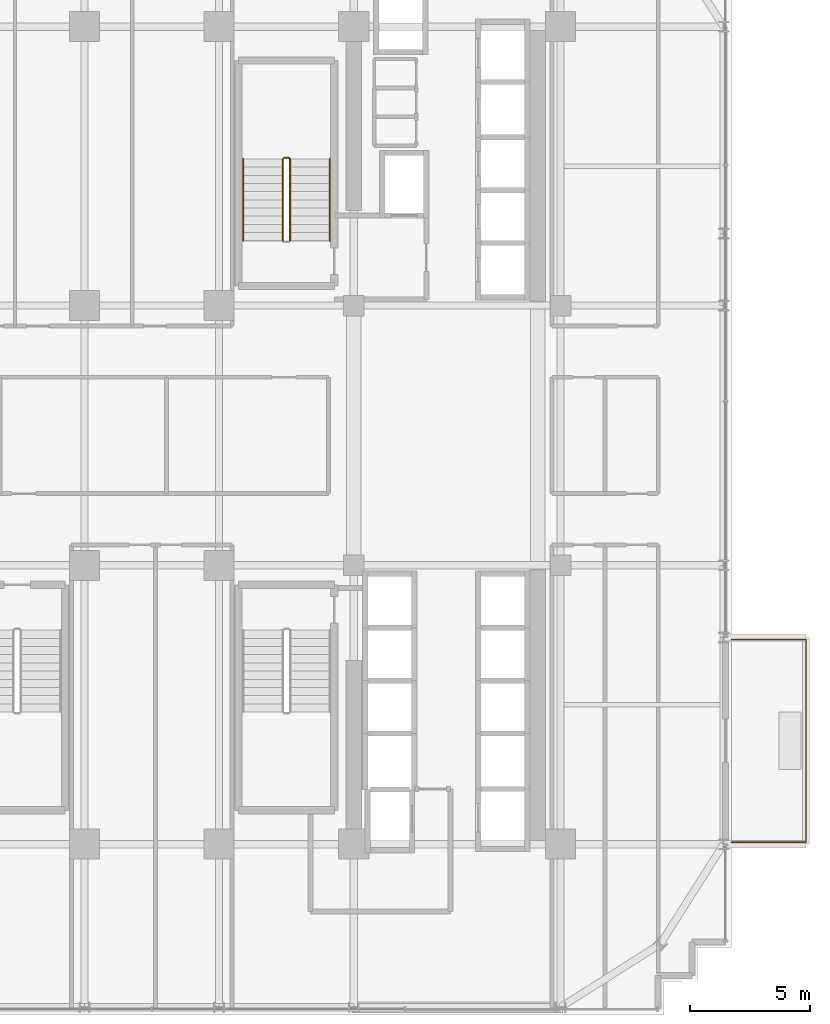
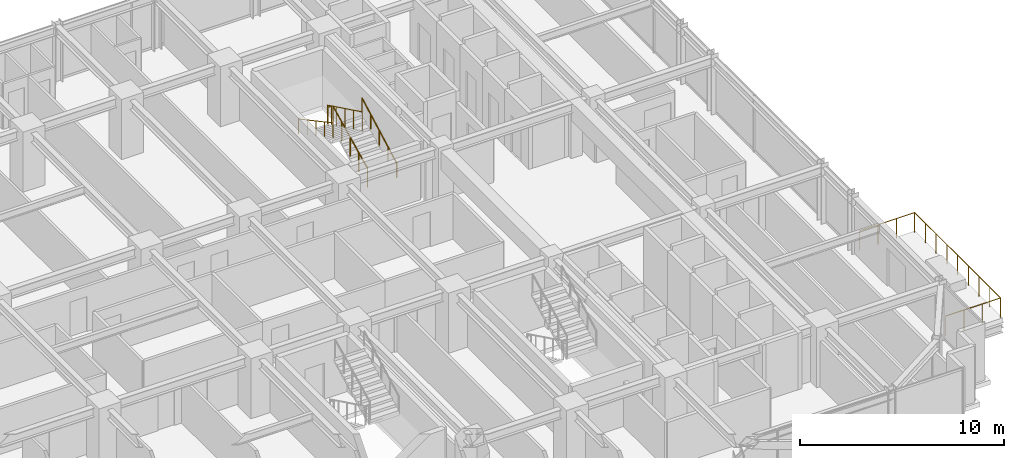
# One storey, part 32 of 34: 6 railings.
"""IFC4 building model written with IfcOpenShell, lengths in metres."""

from ifc_helpers import new_model, si_unit, direction, frame, origin, origin_2d, place, context, subcontext, project, spatial, circle, extrude, material, type_object, element, save


model = new_model("IFC4")

# Units and contexts
model_context = context("Model", 3, precision=1e-05, world=origin(), true_north=direction((0.0, 1.0)))
body_context = subcontext(model_context, "Body", "Model", "MODEL_VIEW")
ifc_project = project(units=[si_unit("LENGTHUNIT", "METRE"), si_unit("AREAUNIT", "SQUARE_METRE"), si_unit("VOLUMEUNIT", "CUBIC_METRE"), si_unit("PLANEANGLEUNIT", "RADIAN"), si_unit("MASSUNIT", "GRAM", prefix="KILO")], contexts=[model_context])

# Site, building, storey
site_placement = place(None, origin())
site = spatial("IfcSite", under=ifc_project, at=site_placement, CompositionType="ELEMENT")
building_placement = place(site_placement, origin())
building = spatial("IfcBuilding", under=site, at=building_placement, Name="Nahalor Promenade Grand Hotel", CompositionType="ELEMENT")
storey_placement = place(building_placement, frame((0.0, 0.0, 99.25)))
storey = spatial("IfcBuildingStorey", under=building, at=storey_placement, Name="L24", CompositionType="ELEMENT", Elevation=99.25)

# Railings
ifc_material_1 = material(Name="Anodised Bronze Aluminium EN AW-6063 T6", Category="aluminium")
railing_type_1 = type_object("IfcRailingType", Name="Bronze Balcony Guardrail 1200 mm", PredefinedType="GUARDRAIL", material=ifc_material_1)
railing_1_placement = place(storey_placement, frame((24.10009765625, -16.919921875, 0.0)))
element("IfcRailing", 1, at=railing_1_placement, inside=storey, type_object=railing_type_1, Name="L24 Balcony Guardrail 2", PredefinedType="GUARDRAIL", context=body_context, shape_type="SweptSolid", body=[
    extrude(circle(Radius=0.024048, at=origin_2d()), frame((0.0, 0.0, 1.17578125), z_axis=(1.0, 0.0, 0.0), x_axis=(0.0, 1.0, 0.0)), (0.0, 0.0, 1.0), 3.10791015625),
    extrude(circle(Radius=0.024048, at=origin_2d()), frame((3.10986328125, 0.001953125, 1.17578125), z_axis=(0.0, 1.0, 0.0), x_axis=(-1.0, 0.0, 0.0)), (0.0, 0.0, 1.0), 8.43603515625),
    extrude(circle(Radius=0.024048, at=origin_2d()), frame((3.10791015625, 8.43994140625, 1.17578125), z_axis=(-1.0, 0.0, 0.0), x_axis=(0.0, -1.0, 0.0)), (0.0, 0.0, 1.0), 3.10791015625),
    extrude(circle(Radius=0.020996, at=origin_2d()), origin(), (0.0, 0.0, 1.0), 1.14990234375),
    extrude(circle(Radius=0.020996, at=origin_2d()), frame((1.03662109375, 0.0, 0.0)), (0.0, 0.0, 1.0), 1.14990234375),
    extrude(circle(Radius=0.020996, at=origin_2d()), frame((2.0732421875, 0.0, 0.0)), (0.0, 0.0, 1.0), 1.14990234375),
    extrude(circle(Radius=0.020996, at=origin_2d()), frame((3.10986328125, 0.0, 0.0)), (0.0, 0.0, 1.0), 1.14990234375),
    extrude(circle(Radius=0.020996, at=origin_2d()), frame((3.10986328125, 1.054931640625, 0.0)), (0.0, 0.0, 1.0), 1.14990234375),
    extrude(circle(Radius=0.020996, at=origin_2d()), frame((3.10986328125, 2.10986328125, 0.0)), (0.0, 0.0, 1.0), 1.14990234375),
    extrude(circle(Radius=0.020996, at=origin_2d()), frame((3.10986328125, 3.1650390625, 0.0)), (0.0, 0.0, 1.0), 1.14990234375),
    extrude(circle(Radius=0.020996, at=origin_2d()), frame((3.10986328125, 4.219970703125, 0.0)), (0.0, 0.0, 1.0), 1.14990234375),
    extrude(circle(Radius=0.020996, at=origin_2d()), frame((3.10986328125, 5.27490234375, 0.0)), (0.0, 0.0, 1.0), 1.14990234375),
    extrude(circle(Radius=0.020996, at=origin_2d()), frame((3.10986328125, 6.330078125, 0.0)), (0.0, 0.0, 1.0), 1.14990234375),
    extrude(circle(Radius=0.020996, at=origin_2d()), frame((3.10986328125, 7.385009765625, 0.0)), (0.0, 0.0, 1.0), 1.14990234375),
    extrude(circle(Radius=0.020996, at=origin_2d()), frame((3.10986328125, 8.43994140625, 0.0)), (0.0, 0.0, 1.0), 1.14990234375),
    extrude(circle(Radius=0.020996, at=origin_2d()), frame((2.0732421875, 8.43994140625, 0.0)), (0.0, 0.0, 1.0), 1.14990234375),
    extrude(circle(Radius=0.020996, at=origin_2d()), frame((1.03662109375, 8.43994140625, 0.0)), (0.0, 0.0, 1.0), 1.14990234375),
    extrude(circle(Radius=0.020996, at=origin_2d()), frame((0.0, 8.43994140625, 0.0)), (0.0, 0.0, 1.0), 1.14990234375),
])
ifc_material_2 = material(Name="Steel S355JR", Category="steel")
railing_type_2 = type_object("IfcRailingType", Name="Steel Stair Guardrail 1150 mm", PredefinedType="GUARDRAIL", material=ifc_material_2)
railing_2_placement = place(storey_placement, frame((5.75, 8.10009765625, 0.166015625)))
element("IfcRailing", 2, at=railing_2_placement, inside=storey, type_object=railing_type_2, Name="L24 ST1 stair guard 1", PredefinedType="GUARDRAIL", context=body_context, shape_type="SweptSolid", body=[
    extrude(circle(Radius=0.024048, at=origin_2d()), frame((0.0, 0.0, 1.1259765625), z_axis=(0.0, 0.898721922897, 0.438518990814), x_axis=(-1.0, 0.0, 0.0)), (0.0, 0.0, 1.0), 3.782958984375),
    extrude(circle(Radius=0.020996, at=origin_2d()), origin(), (0.0, 0.0, 1.0), 1.099853515625),
    extrude(circle(Radius=0.020996, at=origin_2d()), frame((0.0, 0.85009765625, 0.414794921875)), (0.0, 0.0, 1.0), 1.099853515625),
    extrude(circle(Radius=0.020996, at=origin_2d()), frame((0.0, 1.699951171875, 0.82958984375)), (0.0, 0.0, 1.0), 1.099853515625),
    extrude(circle(Radius=0.020996, at=origin_2d()), frame((0.0, 2.5498046875, 1.244140625)), (0.0, 0.0, 1.0), 1.099853515625),
    extrude(circle(Radius=0.020996, at=origin_2d()), frame((0.0, 3.39990234375, 1.658935546875)), (0.0, 0.0, 1.0), 1.099853515625),
])
railing_3_placement = place(storey_placement, frame((5.699951171875, 11.550048828125, 1.824951171875)))
element("IfcRailing", 3, at=railing_3_placement, inside=storey, type_object=railing_type_2, Name="L24 ST1 stair guard 2", PredefinedType="GUARDRAIL", context=body_context, shape_type="SweptSolid", body=[
    extrude(circle(Radius=0.024048, at=origin_2d()), frame((0.0, 0.0, 1.1259765625), z_axis=(-1.0, 0.0, 0.0), x_axis=(0.0, -1.0, 0.0)), (0.0, 0.0, 1.0), 0.199951171875),
    extrude(circle(Radius=0.020996, at=origin_2d()), origin(), (0.0, 0.0, 1.0), 1.099853515625),
    extrude(circle(Radius=0.020996, at=origin_2d()), frame((-0.199951171875, 0.0, 0.0)), (0.0, 0.0, 1.0), 1.099853515625),
])
railing_4_placement = place(storey_placement, frame((5.449951171875, 11.5, 1.990966796875)))
element("IfcRailing", 4, at=railing_4_placement, inside=storey, type_object=railing_type_2, Name="L24 ST1 stair guard 3", PredefinedType="GUARDRAIL", context=body_context, shape_type="SweptSolid", body=[
    extrude(circle(Radius=0.024048, at=origin_2d()), frame((0.0, 0.0, 1.1259765625), z_axis=(0.0, -0.898721922897, 0.438518990814), x_axis=(1.0, 0.0, 0.0)), (0.0, 0.0, 1.0), 3.782958984375),
    extrude(circle(Radius=0.020996, at=origin_2d()), origin(), (0.0, 0.0, 1.0), 1.099853515625),
    extrude(circle(Radius=0.020996, at=origin_2d()), frame((0.0, -0.85009765625, 0.414794921875)), (0.0, 0.0, 1.0), 1.099853515625),
    extrude(circle(Radius=0.020996, at=origin_2d()), frame((0.0, -1.699951171875, 0.82958984375)), (0.0, 0.0, 1.0), 1.099853515625),
    extrude(circle(Radius=0.020996, at=origin_2d()), frame((0.0, -2.5498046875, 1.244140625)), (0.0, 0.0, 1.0), 1.099853515625),
    extrude(circle(Radius=0.020996, at=origin_2d()), frame((0.0, -3.39990234375, 1.658935546875)), (0.0, 0.0, 1.0), 1.099853515625),
])
railing_type_3 = type_object("IfcRailingType", Name="Steel Stair Handrail 900 mm", PredefinedType="HANDRAIL", material=ifc_material_2)
railing_5_placement = place(storey_placement, frame((7.39990234375, 8.10009765625, 0.166015625)))
element("IfcRailing", 5, at=railing_5_placement, inside=storey, type_object=railing_type_3, Name="L24 ST1 stair handrail 1", PredefinedType="HANDRAIL", context=body_context, shape_type="SweptSolid", body=[
    extrude(circle(Radius=0.024048, at=origin_2d()), frame((0.0, 0.0, 0.8759765625), z_axis=(0.0, 0.881094038095, 0.47294111265), x_axis=(-1.0, 0.0, 0.0)), (0.0, 0.0, 1.0), 3.858642578125),
    extrude(circle(Radius=0.020996, at=origin_2d()), origin(), (0.0, 0.0, 1.0), 0.849853515625),
    extrude(circle(Radius=0.020996, at=origin_2d()), frame((0.0, 0.85009765625, 0.456298828125)), (0.0, 0.0, 1.0), 0.849853515625),
    extrude(circle(Radius=0.020996, at=origin_2d()), frame((0.0, 1.699951171875, 0.91259765625)), (0.0, 0.0, 1.0), 0.849853515625),
    extrude(circle(Radius=0.020996, at=origin_2d()), frame((0.0, 2.5498046875, 1.36865234375)), (0.0, 0.0, 1.0), 0.849853515625),
    extrude(circle(Radius=0.020996, at=origin_2d()), frame((0.0, 3.39990234375, 1.824951171875)), (0.0, 0.0, 1.0), 0.849853515625),
])
railing_6_placement = place(storey_placement, frame((3.800048828125, 11.5, 1.990966796875)))
element("IfcRailing", 6, at=railing_6_placement, inside=storey, type_object=railing_type_3, Name="L24 ST1 stair handrail 2", PredefinedType="HANDRAIL", context=body_context, shape_type="SweptSolid", body=[
    extrude(circle(Radius=0.024048, at=origin_2d()), frame((0.0, 0.0, 0.8759765625), z_axis=(0.0, -0.881094038095, 0.47294111265), x_axis=(1.0, 0.0, 0.0)), (0.0, 0.0, 1.0), 3.858642578125),
    extrude(circle(Radius=0.020996, at=origin_2d()), origin(), (0.0, 0.0, 1.0), 0.849853515625),
    extrude(circle(Radius=0.020996, at=origin_2d()), frame((0.0, -0.85009765625, 0.456298828125)), (0.0, 0.0, 1.0), 0.849853515625),
    extrude(circle(Radius=0.020996, at=origin_2d()), frame((0.0, -1.699951171875, 0.91259765625)), (0.0, 0.0, 1.0), 0.849853515625),
    extrude(circle(Radius=0.020996, at=origin_2d()), frame((0.0, -2.5498046875, 1.36865234375)), (0.0, 0.0, 1.0), 0.849853515625),
    extrude(circle(Radius=0.020996, at=origin_2d()), frame((0.0, -3.39990234375, 1.824951171875)), (0.0, 0.0, 1.0), 0.849853515625),
])

save(model, "model.ifc")
